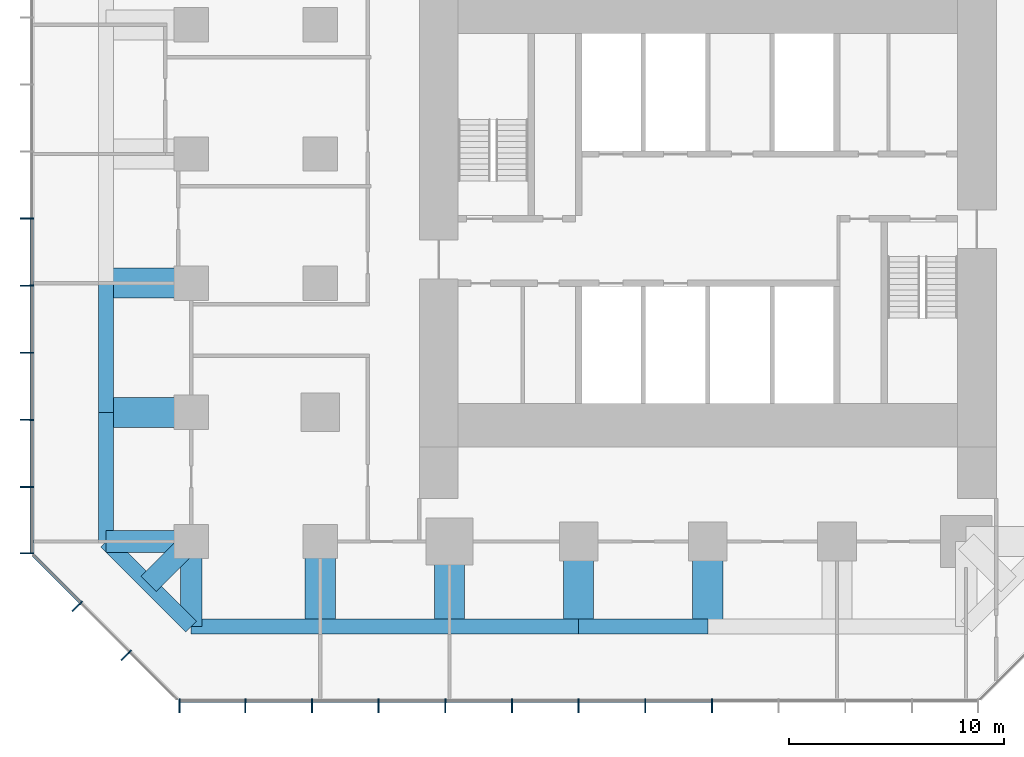
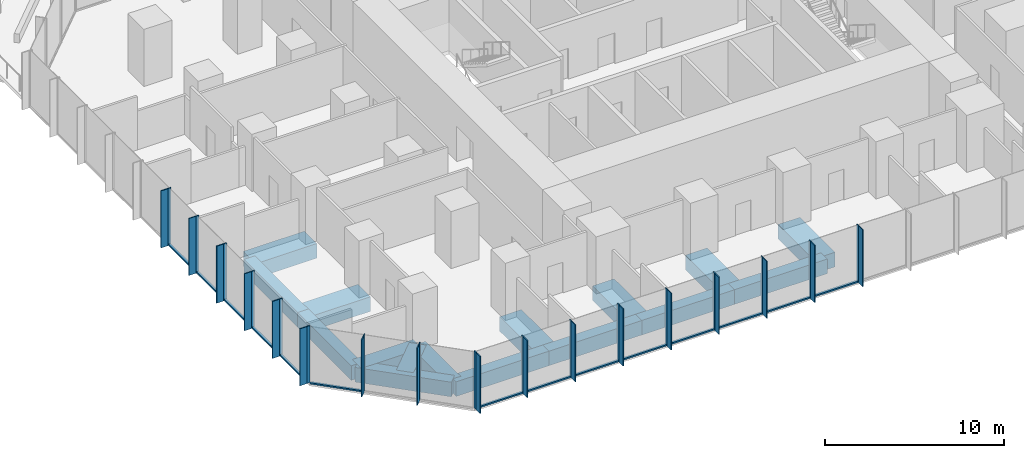
# One storey, part 2 of 11: 48 members, 16 beams, 3 elements without a shape of their own.
"""IFC4 building model written with IfcOpenShell, lengths in metres."""

from ifc_helpers import new_model, si_unit, direction, frame, origin, origin_2d, place, context, subcontext, project, spatial, rectangle, extrude, material, layer, layer_set, material_profile, profile_set, type_object, element, aggregate, save


model = new_model("IFC4")

# Units and contexts
model_context = context("Model", 3, precision=1e-05, world=origin(), true_north=direction((0.0, 1.0)))
body_context = subcontext(model_context, "Body", "Model", "MODEL_VIEW")
ifc_project = project(units=[si_unit("LENGTHUNIT", "METRE"), si_unit("AREAUNIT", "SQUARE_METRE"), si_unit("VOLUMEUNIT", "CUBIC_METRE"), si_unit("PLANEANGLEUNIT", "RADIAN"), si_unit("MASSUNIT", "GRAM", prefix="KILO")], contexts=[model_context])

# Site, building, storey
site_placement = place(None, origin())
site = spatial("IfcSite", under=ifc_project, at=site_placement, CompositionType="ELEMENT")
building_placement = place(site_placement, origin())
building = spatial("IfcBuilding", under=site, at=building_placement, Name="Highveld Stack Headquarters", CompositionType="ELEMENT")
storey_placement = place(building_placement, frame((0.0, 0.0, 117.199951171875)))
storey = spatial("IfcBuildingStorey", under=building, at=storey_placement, Name="L28", CompositionType="ELEMENT", Elevation=117.199951171875)

# Beams
ifc_material_1 = material(Name="Concrete C60/75", Category="concrete")
ifc_material_profile_1 = material_profile(ifc_material_1, rectangle(XDim=1.0, YDim=1.0, at=origin_2d()), Name="RC 1000x1000")
ifc_profile_set_1 = profile_set([ifc_material_profile_1], Name="Concrete C60/75")
beam_type_1 = type_object("IfcBeamType", Name="CANTILEVER RIB RC 1000x1000", PredefinedType="USERDEFINED", material=ifc_profile_set_1)
for number, where, z_axis, x_axis, name in (
    (1, (-18.0, -12.0, -0.75), (-1.0, 0.0, 0.0), (0.0, -1.0, 0.0), "Cantilever rib 3/C L28"),
    (2, (-18.0, -12.0, -0.75), (0.0, -1.0, 0.0), (1.0, 0.0, 0.0), "Cantilever rib 3/C L28"),
):
    element("IfcBeam", number, at=place(storey_placement, frame(where, z_axis=z_axis, x_axis=x_axis)), inside=storey, type_object=beam_type_1, Name=name, ObjectType="CANTILEVER RIB", PredefinedType="USERDEFINED", context=body_context, shape_type="SweptSolid", body=[
        extrude(rectangle(XDim=1.0, YDim=1.0, at=origin_2d()), origin(), (0.0, 0.0, 1.0), 3.949951171875),
    ])
beam_1_placement = place(storey_placement, frame((-18.0, -12.0, -0.75), z_axis=(-0.707106781187, -0.707106781187, 0.0), x_axis=(0.707106781187, -0.707106781187, 0.0)))
element("IfcBeam", 3, at=beam_1_placement, inside=storey, type_object=beam_type_1, Name="Cantilever rib 3/C L28", ObjectType="CANTILEVER RIB", PredefinedType="USERDEFINED", context=body_context, shape_type="SweptSolid", body=[
    extrude(rectangle(XDim=1.0, YDim=1.0, at=origin_2d()), origin(), (0.0, 0.0, 1.0), 2.793212890625),
])
ifc_material_2 = material(Name="Concrete C60/75", Category="concrete")
ifc_material_profile_2 = material_profile(ifc_material_2, rectangle(XDim=1.39990234375, YDim=1.0, at=origin_2d()), Name="RC 1400x1000")
ifc_profile_set_2 = profile_set([ifc_material_profile_2], Name="Concrete C60/75")
beam_type_2 = type_object("IfcBeamType", Name="CANTILEVER RIB RC 1400x1000", PredefinedType="USERDEFINED", material=ifc_profile_set_2)
for number, where, z_axis, x_axis, name in (
    (4, (-18.0, -6.0, -0.75), (-1.0, 0.0, 0.0), (0.0, -1.0, 0.0), "Cantilever rib 3/D L28"),
    (5, (-18.0, 0.0, -0.75), (-1.0, 0.0, 0.0), (0.0, -1.0, 0.0), "Cantilever rib 3/E L28"),
    (6, (-12.0, -12.0, -0.75), (0.0, -1.0, 0.0), (1.0, 0.0, 0.0), "Cantilever rib 4/C L28"),
    (7, (-6.0, -12.0, -0.75), (0.0, -1.0, 0.0), (1.0, 0.0, 0.0), "Cantilever rib 5/C L28"),
    (8, (0.0, -12.0, -0.75), (0.0, -1.0, 0.0), (1.0, 0.0, 0.0), "Cantilever rib 6/C L28"),
    (9, (6.0, -12.0, -0.75), (0.0, -1.0, 0.0), (1.0, 0.0, 0.0), "Cantilever rib 7/C L28"),
):
    element("IfcBeam", number, at=place(storey_placement, frame(where, z_axis=z_axis, x_axis=x_axis)), inside=storey, type_object=beam_type_2, Name=name, ObjectType="CANTILEVER RIB", PredefinedType="USERDEFINED", context=body_context, shape_type="SweptSolid", body=[
        extrude(rectangle(XDim=1.39990234375, YDim=1.0, at=origin_2d()), origin(), (0.0, 0.0, 1.0), 3.949951171875),
    ])

# Curtain wall, members
ifc_material_3 = material(Name="Aluminium bronze anodised", Category="aluminium")
ifc_layer_1 = layer(ifc_material_3, 0.199951171875)
ifc_layer_set_1 = layer_set([ifc_layer_1], Name="Aluminium bronze anodised")
curtain_wall_type_1 = type_object("IfcCurtainWallType", Name="CW1 TOWER UNITISED CURTAIN WALL", PredefinedType="NOTDEFINED", material=ifc_layer_set_1)
curtain_wall_1_placement = place(storey_placement, origin())
curtain_wall_1 = element("IfcCurtainWall", 10, at=curtain_wall_1_placement, inside=storey, type_object=curtain_wall_type_1, Name="Curtain wall CW1 L28 S", PredefinedType="NOTDEFINED")
ifc_material_4 = material(Name="Aluminium bronze anodised", Category="aluminium")
ifc_material_profile_3 = material_profile(ifc_material_4, rectangle(XDim=0.449951171875, YDim=0.06005859375, at=origin_2d()), Name="FIN 450x60")
ifc_profile_set_3 = profile_set([ifc_material_profile_3], Name="Aluminium bronze anodised")
member_type_1 = type_object("IfcMemberType", Name="CW1 BRONZE FIN 450x60", PredefinedType="USERDEFINED", material=ifc_profile_set_3)
member_1_placement = place(storey_placement, frame((-18.54736328125, -19.72509765625, 0.0), z_axis=(0.0, 0.0, 1.0), x_axis=(0.0, 1.0, 0.0)))
member_1 = element("IfcMember", 11, at=member_1_placement, type_object=member_type_1, Name="CW1 fin L28 1", ObjectType="FIN", PredefinedType="USERDEFINED", context=body_context, shape_type="SweptSolid", body=[
    extrude(rectangle(XDim=0.449951171875, YDim=0.06005859375, at=origin_2d()), origin(), (0.0, 0.0, 1.0), 3.900146484375),
])
member_2_placement = place(storey_placement, frame((-15.483154296875, -19.72509765625, 0.0), z_axis=(0.0, 0.0, 1.0), x_axis=(0.0, 1.0, 0.0)))
member_2 = element("IfcMember", 12, at=member_2_placement, type_object=member_type_1, Name="CW1 fin L28 2", ObjectType="FIN", PredefinedType="USERDEFINED", context=body_context, shape_type="SweptSolid", body=[
    extrude(rectangle(XDim=0.449951171875, YDim=0.06005859375, at=origin_2d()), origin(), (0.0, 0.0, 1.0), 3.900146484375),
])
member_3_placement = place(storey_placement, frame((-12.38671875, -19.72509765625, 0.0), z_axis=(0.0, 0.0, 1.0), x_axis=(0.0, 1.0, 0.0)))
member_3 = element("IfcMember", 13, at=member_3_placement, type_object=member_type_1, Name="CW1 fin L28 3", ObjectType="FIN", PredefinedType="USERDEFINED", context=body_context, shape_type="SweptSolid", body=[
    extrude(rectangle(XDim=0.449951171875, YDim=0.06005859375, at=origin_2d()), origin(), (0.0, 0.0, 1.0), 3.900146484375),
])
member_4_placement = place(storey_placement, frame((-9.289794921875, -19.72509765625, 0.0), z_axis=(0.0, 0.0, 1.0), x_axis=(0.0, 1.0, 0.0)))
member_4 = element("IfcMember", 14, at=member_4_placement, type_object=member_type_1, Name="CW1 fin L28 4", ObjectType="FIN", PredefinedType="USERDEFINED", context=body_context, shape_type="SweptSolid", body=[
    extrude(rectangle(XDim=0.449951171875, YDim=0.06005859375, at=origin_2d()), origin(), (0.0, 0.0, 1.0), 3.900146484375),
])
member_5_placement = place(storey_placement, frame((-6.193359375, -19.72509765625, 0.0), z_axis=(0.0, 0.0, 1.0), x_axis=(0.0, 1.0, 0.0)))
member_5 = element("IfcMember", 15, at=member_5_placement, type_object=member_type_1, Name="CW1 fin L28 5", ObjectType="FIN", PredefinedType="USERDEFINED", context=body_context, shape_type="SweptSolid", body=[
    extrude(rectangle(XDim=0.449951171875, YDim=0.06005859375, at=origin_2d()), origin(), (0.0, 0.0, 1.0), 3.900146484375),
])
member_6_placement = place(storey_placement, frame((-3.0966796875, -19.72509765625, 0.0), z_axis=(0.0, 0.0, 1.0), x_axis=(0.0, 1.0, 0.0)))
member_6 = element("IfcMember", 16, at=member_6_placement, type_object=member_type_1, Name="CW1 fin L28 6", ObjectType="FIN", PredefinedType="USERDEFINED", context=body_context, shape_type="SweptSolid", body=[
    extrude(rectangle(XDim=0.449951171875, YDim=0.06005859375, at=origin_2d()), origin(), (0.0, 0.0, 1.0), 3.900146484375),
])
member_7_placement = place(storey_placement, frame((0.0, -19.72509765625, 0.0), z_axis=(0.0, 0.0, 1.0), x_axis=(0.0, 1.0, 0.0)))
member_7 = element("IfcMember", 17, at=member_7_placement, type_object=member_type_1, Name="CW1 fin L28 7", ObjectType="FIN", PredefinedType="USERDEFINED", context=body_context, shape_type="SweptSolid", body=[
    extrude(rectangle(XDim=0.449951171875, YDim=0.06005859375, at=origin_2d()), origin(), (0.0, 0.0, 1.0), 3.900146484375),
])
member_8_placement = place(storey_placement, frame((3.0966796875, -19.72509765625, 0.0), z_axis=(0.0, 0.0, 1.0), x_axis=(0.0, 1.0, 0.0)))
member_8 = element("IfcMember", 18, at=member_8_placement, type_object=member_type_1, Name="CW1 fin L28 8", ObjectType="FIN", PredefinedType="USERDEFINED", context=body_context, shape_type="SweptSolid", body=[
    extrude(rectangle(XDim=0.449951171875, YDim=0.06005859375, at=origin_2d()), origin(), (0.0, 0.0, 1.0), 3.900146484375),
])
member_9_placement = place(storey_placement, frame((6.193359375, -19.72509765625, 0.0), z_axis=(0.0, 0.0, 1.0), x_axis=(0.0, 1.0, 0.0)))
member_9 = element("IfcMember", 19, at=member_9_placement, type_object=member_type_1, Name="CW1 fin L28 9", ObjectType="FIN", PredefinedType="USERDEFINED", context=body_context, shape_type="SweptSolid", body=[
    extrude(rectangle(XDim=0.449951171875, YDim=0.06005859375, at=origin_2d()), origin(), (0.0, 0.0, 1.0), 3.900146484375),
])

curtain_wall_2_placement = place(storey_placement, origin())
curtain_wall_2 = element("IfcCurtainWall", 20, at=curtain_wall_2_placement, inside=storey, type_object=curtain_wall_type_1, Name="Curtain wall CW1 L28 W", PredefinedType="NOTDEFINED")
member_10_placement = place(storey_placement, frame((-25.72509765625, 3.0, 0.0), z_axis=(0.0, 0.0, 1.0), x_axis=(1.0, 0.0, 0.0)))
member_10 = element("IfcMember", 21, at=member_10_placement, type_object=member_type_1, Name="CW1 fin L28 6", ObjectType="FIN", PredefinedType="USERDEFINED", context=body_context, shape_type="SweptSolid", body=[
    extrude(rectangle(XDim=0.449951171875, YDim=0.06005859375, at=origin_2d()), origin(), (0.0, 0.0, 1.0), 3.900146484375),
])
member_11_placement = place(storey_placement, frame((-25.72509765625, -0.115966796875, 0.0), z_axis=(0.0, 0.0, 1.0), x_axis=(1.0, 0.0, 0.0)))
member_11 = element("IfcMember", 22, at=member_11_placement, type_object=member_type_1, Name="CW1 fin L28 7", ObjectType="FIN", PredefinedType="USERDEFINED", context=body_context, shape_type="SweptSolid", body=[
    extrude(rectangle(XDim=0.449951171875, YDim=0.06005859375, at=origin_2d()), origin(), (0.0, 0.0, 1.0), 3.900146484375),
])
member_12_placement = place(storey_placement, frame((-25.72509765625, -3.23193359375, 0.0), z_axis=(0.0, 0.0, 1.0), x_axis=(1.0, 0.0, 0.0)))
member_12 = element("IfcMember", 23, at=member_12_placement, type_object=member_type_1, Name="CW1 fin L28 8", ObjectType="FIN", PredefinedType="USERDEFINED", context=body_context, shape_type="SweptSolid", body=[
    extrude(rectangle(XDim=0.449951171875, YDim=0.06005859375, at=origin_2d()), origin(), (0.0, 0.0, 1.0), 3.900146484375),
])
member_13_placement = place(storey_placement, frame((-25.72509765625, -6.347900390625, 0.0), z_axis=(0.0, 0.0, 1.0), x_axis=(1.0, 0.0, 0.0)))
member_13 = element("IfcMember", 24, at=member_13_placement, type_object=member_type_1, Name="CW1 fin L28 9", ObjectType="FIN", PredefinedType="USERDEFINED", context=body_context, shape_type="SweptSolid", body=[
    extrude(rectangle(XDim=0.449951171875, YDim=0.06005859375, at=origin_2d()), origin(), (0.0, 0.0, 1.0), 3.900146484375),
])
member_14_placement = place(storey_placement, frame((-25.72509765625, -9.4638671875, 0.0), z_axis=(0.0, 0.0, 1.0), x_axis=(1.0, 0.0, 0.0)))
member_14 = element("IfcMember", 25, at=member_14_placement, type_object=member_type_1, Name="CW1 fin L28 10", ObjectType="FIN", PredefinedType="USERDEFINED", context=body_context, shape_type="SweptSolid", body=[
    extrude(rectangle(XDim=0.449951171875, YDim=0.06005859375, at=origin_2d()), origin(), (0.0, 0.0, 1.0), 3.900146484375),
])
member_15_placement = place(storey_placement, frame((-25.72509765625, -12.54736328125, 0.0), z_axis=(0.0, 0.0, 1.0), x_axis=(1.0, 0.0, 0.0)))
member_15 = element("IfcMember", 26, at=member_15_placement, type_object=member_type_1, Name="CW1 fin L28 11", ObjectType="FIN", PredefinedType="USERDEFINED", context=body_context, shape_type="SweptSolid", body=[
    extrude(rectangle(XDim=0.449951171875, YDim=0.06005859375, at=origin_2d()), origin(), (0.0, 0.0, 1.0), 3.900146484375),
])

# Member
ifc_material_5 = material(Name="Aluminium bronze anodised", Category="aluminium")
ifc_material_profile_4 = material_profile(ifc_material_5, rectangle(XDim=0.199951171875, YDim=0.06494140625, at=origin_2d()), Name="CW1 MULLION 65x200")
ifc_profile_set_4 = profile_set([ifc_material_profile_4], Name="Aluminium bronze anodised")
member_type_2 = type_object("IfcMemberType", Name="CW1 MULLION 65x200", PredefinedType="MULLION", material=ifc_profile_set_4)
member_16_placement = place(storey_placement, frame((-18.54736328125, -19.39990234375, 0.0), z_axis=(0.0, 0.0, 1.0), x_axis=(0.0, 1.0, 0.0)))
member_16 = element("IfcMember", 27, at=member_16_placement, type_object=member_type_2, Name="CW1 mullion L28 1", PredefinedType="MULLION", context=body_context, shape_type="SweptSolid", body=[
    extrude(rectangle(XDim=0.199951171875, YDim=0.06494140625, at=origin_2d()), origin(), (0.0, 0.0, 1.0), 3.900146484375),
])

member_17_placement = place(storey_placement, frame((-15.483154296875, -19.39990234375, 0.0), z_axis=(0.0, 0.0, 1.0), x_axis=(0.0, 1.0, 0.0)))
member_17 = element("IfcMember", 28, at=member_17_placement, type_object=member_type_2, Name="CW1 mullion L28 2", PredefinedType="MULLION", context=body_context, shape_type="SweptSolid", body=[
    extrude(rectangle(XDim=0.199951171875, YDim=0.06494140625, at=origin_2d()), origin(), (0.0, 0.0, 1.0), 3.900146484375),
])

member_18_placement = place(storey_placement, frame((-12.38671875, -19.39990234375, 0.0), z_axis=(0.0, 0.0, 1.0), x_axis=(0.0, 1.0, 0.0)))
member_18 = element("IfcMember", 29, at=member_18_placement, type_object=member_type_2, Name="CW1 mullion L28 3", PredefinedType="MULLION", context=body_context, shape_type="SweptSolid", body=[
    extrude(rectangle(XDim=0.199951171875, YDim=0.06494140625, at=origin_2d()), origin(), (0.0, 0.0, 1.0), 3.900146484375),
])

member_19_placement = place(storey_placement, frame((-9.289794921875, -19.39990234375, 0.0), z_axis=(0.0, 0.0, 1.0), x_axis=(0.0, 1.0, 0.0)))
member_19 = element("IfcMember", 30, at=member_19_placement, type_object=member_type_2, Name="CW1 mullion L28 4", PredefinedType="MULLION", context=body_context, shape_type="SweptSolid", body=[
    extrude(rectangle(XDim=0.199951171875, YDim=0.06494140625, at=origin_2d()), origin(), (0.0, 0.0, 1.0), 3.900146484375),
])

member_20_placement = place(storey_placement, frame((-6.193359375, -19.39990234375, 0.0), z_axis=(0.0, 0.0, 1.0), x_axis=(0.0, 1.0, 0.0)))
member_20 = element("IfcMember", 31, at=member_20_placement, type_object=member_type_2, Name="CW1 mullion L28 5", PredefinedType="MULLION", context=body_context, shape_type="SweptSolid", body=[
    extrude(rectangle(XDim=0.199951171875, YDim=0.06494140625, at=origin_2d()), origin(), (0.0, 0.0, 1.0), 3.900146484375),
])

member_21_placement = place(storey_placement, frame((-3.0966796875, -19.39990234375, 0.0), z_axis=(0.0, 0.0, 1.0), x_axis=(0.0, 1.0, 0.0)))
member_21 = element("IfcMember", 32, at=member_21_placement, type_object=member_type_2, Name="CW1 mullion L28 6", PredefinedType="MULLION", context=body_context, shape_type="SweptSolid", body=[
    extrude(rectangle(XDim=0.199951171875, YDim=0.06494140625, at=origin_2d()), origin(), (0.0, 0.0, 1.0), 3.900146484375),
])

member_22_placement = place(storey_placement, frame((0.0, -19.39990234375, 0.0), z_axis=(0.0, 0.0, 1.0), x_axis=(0.0, 1.0, 0.0)))
member_22 = element("IfcMember", 33, at=member_22_placement, type_object=member_type_2, Name="CW1 mullion L28 7", PredefinedType="MULLION", context=body_context, shape_type="SweptSolid", body=[
    extrude(rectangle(XDim=0.199951171875, YDim=0.06494140625, at=origin_2d()), origin(), (0.0, 0.0, 1.0), 3.900146484375),
])

member_23_placement = place(storey_placement, frame((3.0966796875, -19.39990234375, 0.0), z_axis=(0.0, 0.0, 1.0), x_axis=(0.0, 1.0, 0.0)))
member_23 = element("IfcMember", 34, at=member_23_placement, type_object=member_type_2, Name="CW1 mullion L28 8", PredefinedType="MULLION", context=body_context, shape_type="SweptSolid", body=[
    extrude(rectangle(XDim=0.199951171875, YDim=0.06494140625, at=origin_2d()), origin(), (0.0, 0.0, 1.0), 3.900146484375),
])

member_24_placement = place(storey_placement, frame((6.193359375, -19.39990234375, 0.0), z_axis=(0.0, 0.0, 1.0), x_axis=(0.0, 1.0, 0.0)))
member_24 = element("IfcMember", 35, at=member_24_placement, type_object=member_type_2, Name="CW1 mullion L28 9", PredefinedType="MULLION", context=body_context, shape_type="SweptSolid", body=[
    extrude(rectangle(XDim=0.199951171875, YDim=0.06494140625, at=origin_2d()), origin(), (0.0, 0.0, 1.0), 3.900146484375),
])

member_25_placement = place(storey_placement, frame((-25.39990234375, 3.0, 0.0), z_axis=(0.0, 0.0, 1.0), x_axis=(1.0, 0.0, 0.0)))
member_25 = element("IfcMember", 36, at=member_25_placement, type_object=member_type_2, Name="CW1 mullion L28 6", PredefinedType="MULLION", context=body_context, shape_type="SweptSolid", body=[
    extrude(rectangle(XDim=0.199951171875, YDim=0.06494140625, at=origin_2d()), origin(), (0.0, 0.0, 1.0), 3.900146484375),
])

member_26_placement = place(storey_placement, frame((-25.39990234375, -0.115966796875, 0.0), z_axis=(0.0, 0.0, 1.0), x_axis=(1.0, 0.0, 0.0)))
member_26 = element("IfcMember", 37, at=member_26_placement, type_object=member_type_2, Name="CW1 mullion L28 7", PredefinedType="MULLION", context=body_context, shape_type="SweptSolid", body=[
    extrude(rectangle(XDim=0.199951171875, YDim=0.06494140625, at=origin_2d()), origin(), (0.0, 0.0, 1.0), 3.900146484375),
])

member_27_placement = place(storey_placement, frame((-25.39990234375, -3.23193359375, 0.0), z_axis=(0.0, 0.0, 1.0), x_axis=(1.0, 0.0, 0.0)))
member_27 = element("IfcMember", 38, at=member_27_placement, type_object=member_type_2, Name="CW1 mullion L28 8", PredefinedType="MULLION", context=body_context, shape_type="SweptSolid", body=[
    extrude(rectangle(XDim=0.199951171875, YDim=0.06494140625, at=origin_2d()), origin(), (0.0, 0.0, 1.0), 3.900146484375),
])

member_28_placement = place(storey_placement, frame((-25.39990234375, -6.347900390625, 0.0), z_axis=(0.0, 0.0, 1.0), x_axis=(1.0, 0.0, 0.0)))
member_28 = element("IfcMember", 39, at=member_28_placement, type_object=member_type_2, Name="CW1 mullion L28 9", PredefinedType="MULLION", context=body_context, shape_type="SweptSolid", body=[
    extrude(rectangle(XDim=0.199951171875, YDim=0.06494140625, at=origin_2d()), origin(), (0.0, 0.0, 1.0), 3.900146484375),
])

member_29_placement = place(storey_placement, frame((-25.39990234375, -9.4638671875, 0.0), z_axis=(0.0, 0.0, 1.0), x_axis=(1.0, 0.0, 0.0)))
member_29 = element("IfcMember", 40, at=member_29_placement, type_object=member_type_2, Name="CW1 mullion L28 10", PredefinedType="MULLION", context=body_context, shape_type="SweptSolid", body=[
    extrude(rectangle(XDim=0.199951171875, YDim=0.06494140625, at=origin_2d()), origin(), (0.0, 0.0, 1.0), 3.900146484375),
])

member_30_placement = place(storey_placement, frame((-25.39990234375, -12.54736328125, 0.0), z_axis=(0.0, 0.0, 1.0), x_axis=(1.0, 0.0, 0.0)))
member_30 = element("IfcMember", 41, at=member_30_placement, type_object=member_type_2, Name="CW1 mullion L28 11", PredefinedType="MULLION", context=body_context, shape_type="SweptSolid", body=[
    extrude(rectangle(XDim=0.199951171875, YDim=0.06494140625, at=origin_2d()), origin(), (0.0, 0.0, 1.0), 3.900146484375),
])

ifc_material_6 = material(Name="Aluminium bronze anodised", Category="aluminium")
ifc_material_profile_5 = material_profile(ifc_material_6, rectangle(XDim=0.14990234375, YDim=0.10009765625, at=origin_2d()), Name="CW1 TRANSOM 150x100")
ifc_profile_set_5 = profile_set([ifc_material_profile_5], Name="Aluminium bronze anodised")
member_type_3 = type_object("IfcMemberType", Name="CW1 STACK TRANSOM 150x100", PredefinedType="USERDEFINED", material=ifc_profile_set_5)
member_31_placement = place(storey_placement, frame((-18.514892578125, -19.39990234375, 0.050048828125), z_axis=(1.0, 0.0, 0.0), x_axis=(0.0, 1.0, 0.0)))
member_31 = element("IfcMember", 42, at=member_31_placement, type_object=member_type_3, Name="CW1 transom L28 1.1", ObjectType="TRANSOM", PredefinedType="USERDEFINED", context=body_context, shape_type="SweptSolid", body=[
    extrude(rectangle(XDim=0.14990234375, YDim=0.10009765625, at=origin_2d()), origin(), (0.0, 0.0, 1.0), 2.999267578125),
])

member_32_placement = place(storey_placement, frame((-15.45068359375, -19.39990234375, 0.050048828125), z_axis=(1.0, 0.0, 0.0), x_axis=(0.0, 1.0, 0.0)))
member_32 = element("IfcMember", 43, at=member_32_placement, type_object=member_type_3, Name="CW1 transom L28 2.1", ObjectType="TRANSOM", PredefinedType="USERDEFINED", context=body_context, shape_type="SweptSolid", body=[
    extrude(rectangle(XDim=0.14990234375, YDim=0.10009765625, at=origin_2d()), origin(), (0.0, 0.0, 1.0), 3.031494140625),
])

member_33_placement = place(storey_placement, frame((-12.35400390625, -19.39990234375, 0.050048828125), z_axis=(1.0, 0.0, 0.0), x_axis=(0.0, 1.0, 0.0)))
member_33 = element("IfcMember", 44, at=member_33_placement, type_object=member_type_3, Name="CW1 transom L28 3.1", ObjectType="TRANSOM", PredefinedType="USERDEFINED", context=body_context, shape_type="SweptSolid", body=[
    extrude(rectangle(XDim=0.14990234375, YDim=0.10009765625, at=origin_2d()), origin(), (0.0, 0.0, 1.0), 3.031494140625),
])

member_34_placement = place(storey_placement, frame((-9.25732421875, -19.39990234375, 0.050048828125), z_axis=(1.0, 0.0, 0.0), x_axis=(0.0, 1.0, 0.0)))
member_34 = element("IfcMember", 45, at=member_34_placement, type_object=member_type_3, Name="CW1 transom L28 4.1", ObjectType="TRANSOM", PredefinedType="USERDEFINED", context=body_context, shape_type="SweptSolid", body=[
    extrude(rectangle(XDim=0.14990234375, YDim=0.10009765625, at=origin_2d()), origin(), (0.0, 0.0, 1.0), 3.031494140625),
])

member_35_placement = place(storey_placement, frame((-6.160888671875, -19.39990234375, 0.050048828125), z_axis=(1.0, 0.0, 0.0), x_axis=(0.0, 1.0, 0.0)))
member_35 = element("IfcMember", 46, at=member_35_placement, type_object=member_type_3, Name="CW1 transom L28 5.1", ObjectType="TRANSOM", PredefinedType="USERDEFINED", context=body_context, shape_type="SweptSolid", body=[
    extrude(rectangle(XDim=0.14990234375, YDim=0.10009765625, at=origin_2d()), origin(), (0.0, 0.0, 1.0), 3.03173828125),
])

member_36_placement = place(storey_placement, frame((-3.064208984375, -19.39990234375, 0.050048828125), z_axis=(1.0, 0.0, 0.0), x_axis=(0.0, 1.0, 0.0)))
member_36 = element("IfcMember", 47, at=member_36_placement, type_object=member_type_3, Name="CW1 transom L28 6.1", ObjectType="TRANSOM", PredefinedType="USERDEFINED", context=body_context, shape_type="SweptSolid", body=[
    extrude(rectangle(XDim=0.14990234375, YDim=0.10009765625, at=origin_2d()), origin(), (0.0, 0.0, 1.0), 3.03173828125),
])

member_37_placement = place(storey_placement, frame((0.032470703125, -19.39990234375, 0.050048828125), z_axis=(1.0, 0.0, 0.0), x_axis=(0.0, 1.0, 0.0)))
member_37 = element("IfcMember", 48, at=member_37_placement, type_object=member_type_3, Name="CW1 transom L28 7.1", ObjectType="TRANSOM", PredefinedType="USERDEFINED", context=body_context, shape_type="SweptSolid", body=[
    extrude(rectangle(XDim=0.14990234375, YDim=0.10009765625, at=origin_2d()), origin(), (0.0, 0.0, 1.0), 3.03173828125),
])

member_38_placement = place(storey_placement, frame((3.129150390625, -19.39990234375, 0.050048828125), z_axis=(1.0, 0.0, 0.0), x_axis=(0.0, 1.0, 0.0)))
member_38 = element("IfcMember", 49, at=member_38_placement, type_object=member_type_3, Name="CW1 transom L28 8.1", ObjectType="TRANSOM", PredefinedType="USERDEFINED", context=body_context, shape_type="SweptSolid", body=[
    extrude(rectangle(XDim=0.14990234375, YDim=0.10009765625, at=origin_2d()), origin(), (0.0, 0.0, 1.0), 3.03173828125),
])

aggregate(curtain_wall_1, [member_16, member_1, member_17, member_2, member_18, member_3, member_19, member_4, member_20, member_5, member_21, member_6, member_22, member_7, member_23, member_8, member_24, member_9, member_31, member_32, member_33, member_34, member_35, member_36, member_37, member_38])

member_39_placement = place(storey_placement, frame((-25.39990234375, 2.967529296875, 0.050048828125), z_axis=(0.0, -1.0, 0.0), x_axis=(1.0, 0.0, 0.0)))
member_39 = element("IfcMember", 50, at=member_39_placement, type_object=member_type_3, Name="CW1 transom L28 6.1", ObjectType="TRANSOM", PredefinedType="USERDEFINED", context=body_context, shape_type="SweptSolid", body=[
    extrude(rectangle(XDim=0.14990234375, YDim=0.10009765625, at=origin_2d()), origin(), (0.0, 0.0, 1.0), 3.051025390625),
])

member_40_placement = place(storey_placement, frame((-25.39990234375, -0.1484375, 0.050048828125), z_axis=(0.0, -1.0, 0.0), x_axis=(1.0, 0.0, 0.0)))
member_40 = element("IfcMember", 51, at=member_40_placement, type_object=member_type_3, Name="CW1 transom L28 7.1", ObjectType="TRANSOM", PredefinedType="USERDEFINED", context=body_context, shape_type="SweptSolid", body=[
    extrude(rectangle(XDim=0.14990234375, YDim=0.10009765625, at=origin_2d()), origin(), (0.0, 0.0, 1.0), 3.051025390625),
])

member_41_placement = place(storey_placement, frame((-25.39990234375, -3.264404296875, 0.050048828125), z_axis=(0.0, -1.0, 0.0), x_axis=(1.0, 0.0, 0.0)))
member_41 = element("IfcMember", 52, at=member_41_placement, type_object=member_type_3, Name="CW1 transom L28 8.1", ObjectType="TRANSOM", PredefinedType="USERDEFINED", context=body_context, shape_type="SweptSolid", body=[
    extrude(rectangle(XDim=0.14990234375, YDim=0.10009765625, at=origin_2d()), origin(), (0.0, 0.0, 1.0), 3.051025390625),
])

member_42_placement = place(storey_placement, frame((-25.39990234375, -6.38037109375, 0.050048828125), z_axis=(0.0, -1.0, 0.0), x_axis=(1.0, 0.0, 0.0)))
member_42 = element("IfcMember", 53, at=member_42_placement, type_object=member_type_3, Name="CW1 transom L28 9.1", ObjectType="TRANSOM", PredefinedType="USERDEFINED", context=body_context, shape_type="SweptSolid", body=[
    extrude(rectangle(XDim=0.14990234375, YDim=0.10009765625, at=origin_2d()), origin(), (0.0, 0.0, 1.0), 3.051025390625),
])

member_43_placement = place(storey_placement, frame((-25.39990234375, -9.496337890625, 0.050048828125), z_axis=(0.0, -1.0, 0.0), x_axis=(1.0, 0.0, 0.0)))
member_43 = element("IfcMember", 54, at=member_43_placement, type_object=member_type_3, Name="CW1 transom L28 10.1", ObjectType="TRANSOM", PredefinedType="USERDEFINED", context=body_context, shape_type="SweptSolid", body=[
    extrude(rectangle(XDim=0.14990234375, YDim=0.10009765625, at=origin_2d()), origin(), (0.0, 0.0, 1.0), 3.0185546875),
])

aggregate(curtain_wall_2, [member_25, member_10, member_26, member_11, member_27, member_12, member_28, member_13, member_29, member_14, member_30, member_15, member_39, member_40, member_41, member_42, member_43])

# Curtain wall, members
ifc_material_7 = material(Name="Aluminium bronze anodised", Category="aluminium")
ifc_layer_2 = layer(ifc_material_7, 0.199951171875)
ifc_layer_set_2 = layer_set([ifc_layer_2], Name="Aluminium bronze anodised")
curtain_wall_type_2 = type_object("IfcCurtainWallType", Name="CW2 TOWER CHAMFER UNITISED CURTAIN WALL", PredefinedType="NOTDEFINED", material=ifc_layer_set_2)
curtain_wall_3_placement = place(storey_placement, origin())
curtain_wall_3 = element("IfcCurtainWall", 55, at=curtain_wall_3_placement, inside=storey, type_object=curtain_wall_type_2, Name="Curtain wall CW2 L28 SW", PredefinedType="NOTDEFINED")
ifc_material_8 = material(Name="Aluminium bronze anodised", Category="aluminium")
ifc_material_profile_6 = material_profile(ifc_material_8, rectangle(XDim=0.449951171875, YDim=0.06005859375, at=origin_2d()), Name="FIN 450x60")
ifc_profile_set_6 = profile_set([ifc_material_profile_6], Name="Aluminium bronze anodised")
member_type_4 = type_object("IfcMemberType", Name="CW2 BRONZE FIN 450x60", PredefinedType="USERDEFINED", material=ifc_profile_set_6)
member_44_placement = place(storey_placement, frame((-23.3564453125, -15.0830078125, 0.0), z_axis=(0.0, 0.0, 1.0), x_axis=(0.707106781187, 0.707106781187, 0.0)))
member_44 = element("IfcMember", 56, at=member_44_placement, type_object=member_type_4, Name="CW2 fin L28 1", ObjectType="FIN", PredefinedType="USERDEFINED", context=body_context, shape_type="SweptSolid", body=[
    extrude(rectangle(XDim=0.449951171875, YDim=0.06005859375, at=origin_2d()), origin(), (0.0, 0.0, 1.0), 3.900146484375),
])
member_45_placement = place(storey_placement, frame((-21.0830078125, -17.3564453125, 0.0), z_axis=(0.0, 0.0, 1.0), x_axis=(0.707106781187, 0.707106781187, 0.0)))
member_45 = element("IfcMember", 57, at=member_45_placement, type_object=member_type_4, Name="CW2 fin L28 2", ObjectType="FIN", PredefinedType="USERDEFINED", context=body_context, shape_type="SweptSolid", body=[
    extrude(rectangle(XDim=0.449951171875, YDim=0.06005859375, at=origin_2d()), origin(), (0.0, 0.0, 1.0), 3.900146484375),
])
ifc_material_9 = material(Name="Aluminium bronze anodised", Category="aluminium")
ifc_material_profile_7 = material_profile(ifc_material_9, rectangle(XDim=0.199951171875, YDim=0.06494140625, at=origin_2d()), Name="CW2 MULLION 65x200")
ifc_profile_set_7 = profile_set([ifc_material_profile_7], Name="Aluminium bronze anodised")
member_type_5 = type_object("IfcMemberType", Name="CW2 MULLION 65x200", PredefinedType="MULLION", material=ifc_profile_set_7)
member_46_placement = place(storey_placement, frame((-23.126708984375, -14.853271484375, 0.0), z_axis=(0.0, 0.0, 1.0), x_axis=(0.707106781187, 0.707106781187, 0.0)))
member_46 = element("IfcMember", 58, at=member_46_placement, type_object=member_type_5, Name="CW2 mullion L28 1", PredefinedType="MULLION", context=body_context, shape_type="SweptSolid", body=[
    extrude(rectangle(XDim=0.199951171875, YDim=0.06494140625, at=origin_2d()), origin(), (0.0, 0.0, 1.0), 3.900146484375),
])
member_47_placement = place(storey_placement, frame((-20.853271484375, -17.126708984375, 0.0), z_axis=(0.0, 0.0, 1.0), x_axis=(0.707106781187, 0.707106781187, 0.0)))
member_47 = element("IfcMember", 59, at=member_47_placement, type_object=member_type_5, Name="CW2 mullion L28 2", PredefinedType="MULLION", context=body_context, shape_type="SweptSolid", body=[
    extrude(rectangle(XDim=0.199951171875, YDim=0.06494140625, at=origin_2d()), origin(), (0.0, 0.0, 1.0), 3.900146484375),
])
ifc_material_10 = material(Name="Aluminium bronze anodised", Category="aluminium")
ifc_material_profile_8 = material_profile(ifc_material_10, rectangle(XDim=0.14990234375, YDim=0.10009765625, at=origin_2d()), Name="CW2 TRANSOM 150x100")
ifc_profile_set_8 = profile_set([ifc_material_profile_8], Name="Aluminium bronze anodised")
member_type_6 = type_object("IfcMemberType", Name="CW2 STACK TRANSOM 150x100", PredefinedType="USERDEFINED", material=ifc_profile_set_8)
member_48_placement = place(storey_placement, frame((-25.329345703125, -12.650634765625, 0.050048828125), z_axis=(0.707106781187, -0.707106781187, 0.0), x_axis=(0.707106781187, 0.707106781187, 0.0)))
member_48 = element("IfcMember", 60, at=member_48_placement, type_object=member_type_6, Name="CW2 transom L28 1.1", ObjectType="TRANSOM", PredefinedType="USERDEFINED", context=body_context, shape_type="SweptSolid", body=[
    extrude(rectangle(XDim=0.14990234375, YDim=0.10009765625, at=origin_2d()), origin(), (0.0, 0.0, 1.0), 3.08251953125),
])
aggregate(curtain_wall_3, [member_46, member_44, member_47, member_45, member_48])

# Beams
ifc_material_11 = material(Name="Concrete C60/75", Category="concrete")
ifc_material_profile_9 = material_profile(ifc_material_11, rectangle(XDim=0.699951171875, YDim=1.0, at=origin_2d()), Name="RC 700x1000")
ifc_profile_set_9 = profile_set([ifc_material_profile_9], Name="Concrete C60/75")
beam_type_3 = type_object("IfcBeamType", Name="RIB TIP BEAM RC 700x1000", PredefinedType="SPANDREL", material=ifc_profile_set_9)
for number, where, z_axis, x_axis, name in (
    (61, (-21.949951171875, -12.0, -0.75), (0.0, 1.0, 0.0), (-1.0, 0.0, 0.0), "Rib tip beam 3/C to 3/D L28"),
    (62, (-21.949951171875, -6.0, -0.75), (0.0, 1.0, 0.0), (-1.0, 0.0, 0.0), "Rib tip beam 3/D to 3/E L28"),
    (63, (-18.0, -15.949951171875, -0.75), (1.0, 0.0, 0.0), (0.0, 1.0, 0.0), "Rib tip beam 3/C to 4/C L28"),
    (64, (-12.0, -15.949951171875, -0.75), (1.0, 0.0, 0.0), (0.0, 1.0, 0.0), "Rib tip beam 4/C to 5/C L28"),
    (65, (-6.0, -15.949951171875, -0.75), (1.0, 0.0, 0.0), (0.0, 1.0, 0.0), "Rib tip beam 5/C to 6/C L28"),
    (66, (0.0, -15.949951171875, -0.75), (1.0, 0.0, 0.0), (0.0, 1.0, 0.0), "Rib tip beam 6/C to 7/C L28"),
):
    element("IfcBeam", number, at=place(storey_placement, frame(where, z_axis=z_axis, x_axis=x_axis)), inside=storey, type_object=beam_type_3, Name=name, PredefinedType="SPANDREL", context=body_context, shape_type="SweptSolid", body=[
        extrude(rectangle(XDim=0.699951171875, YDim=1.0, at=origin_2d()), origin(), (0.0, 0.0, 1.0), 6.0),
    ])
beam_2_placement = place(storey_placement, frame((-21.949951171875, -12.0, -0.75), z_axis=(0.707106781187, -0.707106781187, 0.0), x_axis=(0.707106781187, 0.707106781187, 0.0)))
element("IfcBeam", 67, at=beam_2_placement, inside=storey, type_object=beam_type_3, Name="Rib tip beam 3/C corner L28", PredefinedType="SPANDREL", context=body_context, shape_type="SweptSolid", body=[
    extrude(rectangle(XDim=0.699951171875, YDim=1.0, at=origin_2d()), origin(), (0.0, 0.0, 1.0), 5.586181640625),
])

save(model, "model.ifc")
